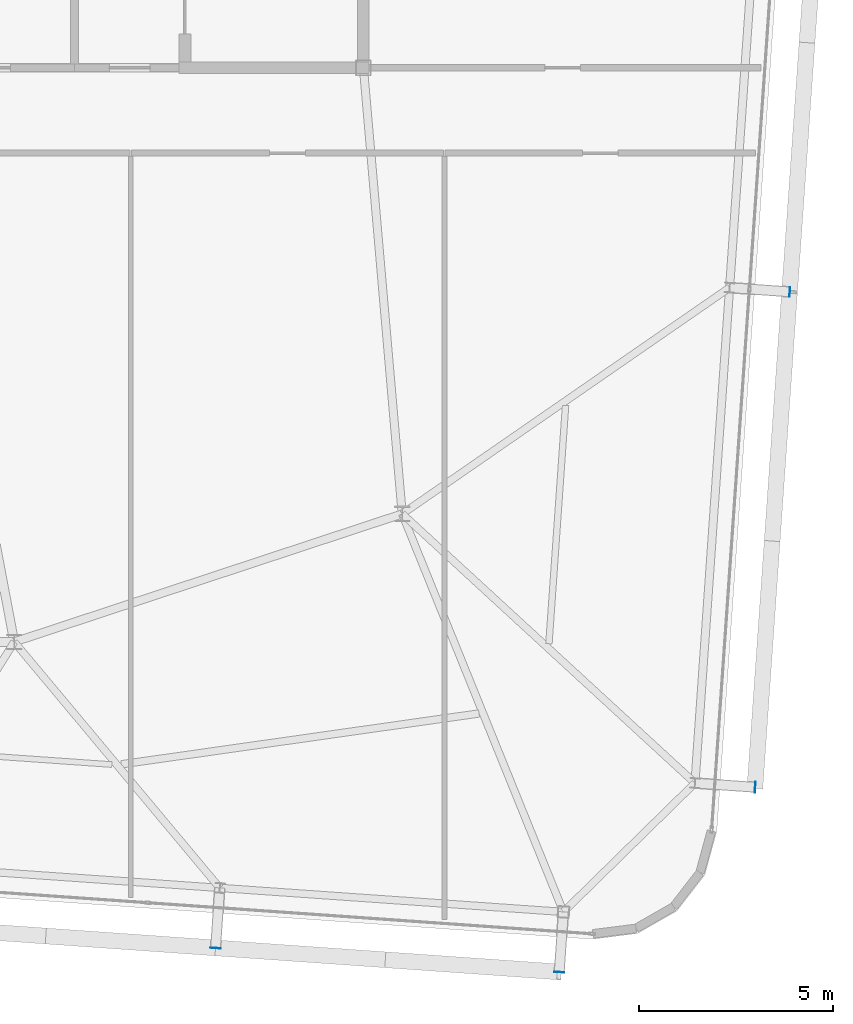
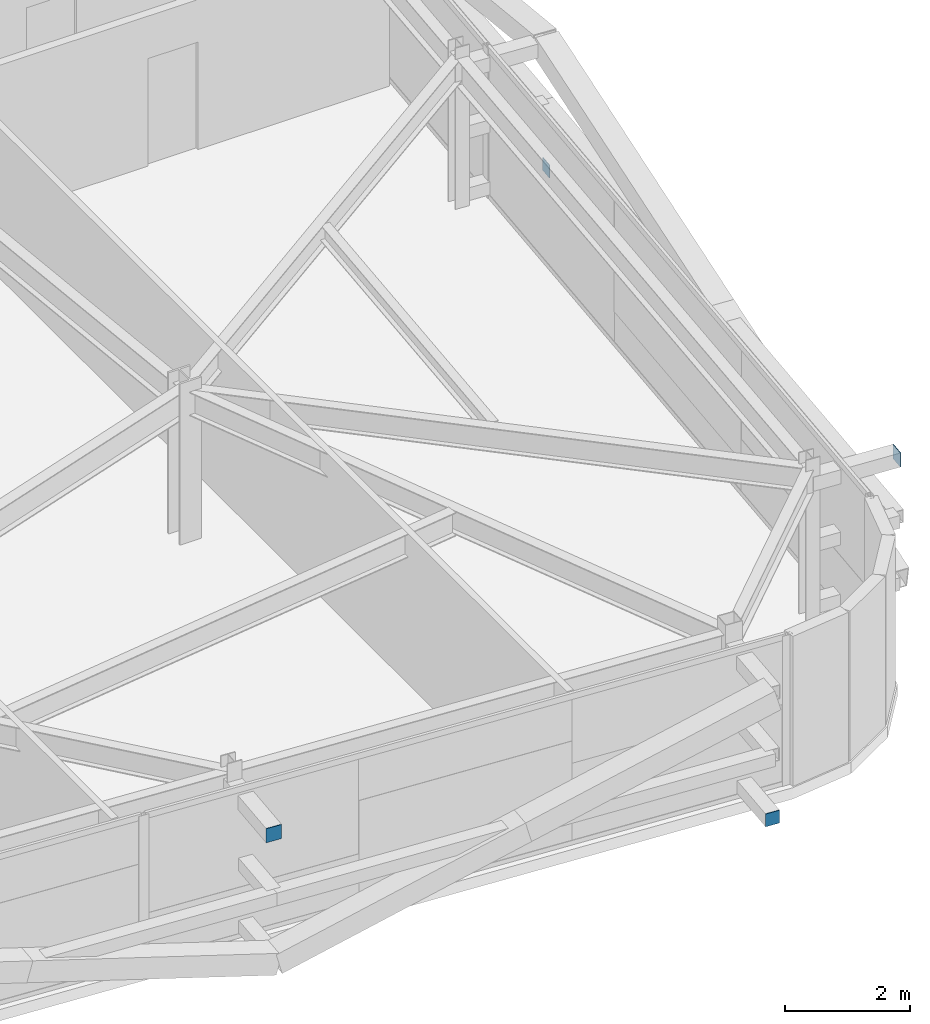
# One storey, part 30 of 39: 4 plates.
"""IFC4 building model written with IfcOpenShell, lengths in metres."""

from ifc_helpers import new_model, si_unit, direction, frame, origin, origin_2d, place, context, subcontext, project, spatial, rectangle, extrude, source, transform, mapped, material, layer, layer_set, type_object, element, save


model = new_model("IFC4")

# Units and contexts
model_context = context("Model", 3, precision=1e-05, world=origin(), true_north=direction((0.0, 1.0)))
body_context = subcontext(model_context, "Body", "Model", "MODEL_VIEW")
ifc_project = project(units=[si_unit("LENGTHUNIT", "METRE"), si_unit("AREAUNIT", "SQUARE_METRE"), si_unit("VOLUMEUNIT", "CUBIC_METRE"), si_unit("PLANEANGLEUNIT", "RADIAN"), si_unit("MASSUNIT", "GRAM", prefix="KILO")], contexts=[model_context])

# Site, building, storey
site_placement = place(None, origin())
site = spatial("IfcSite", under=ifc_project, at=site_placement, CompositionType="ELEMENT")
building_placement = place(site_placement, origin())
building = spatial("IfcBuilding", under=site, at=building_placement, Name="Taldren Reach Tower", CompositionType="ELEMENT")
storey_placement = place(building_placement, frame((0.0, 0.0, 145.60009765625)))
storey = spatial("IfcBuildingStorey", under=building, at=storey_placement, Name="L44", CompositionType="ELEMENT", Elevation=145.60009765625)

# Plates
ifc_material_1 = material(Name="Steel Gr 450 (C450L0)", Category="steel")
ifc_layer_1 = layer(ifc_material_1, 0.011962890625)
ifc_layer_set_1 = layer_set([ifc_layer_1], Name="Steel Gr 450 (C450L0)")
plate_type_1 = type_object("IfcPlateType", Name="PL-CAP-275", PredefinedType="SHEET", material=ifc_layer_set_1)
shared_shape_1 = source(origin(), body_context, "Body", "SweptSolid", [
    extrude(rectangle(XDim=0.27490234375, YDim=0.011962890625, at=origin_2d()), origin(), (0.0, 0.0, 1.0), 0.27490234375),
])
plate_1_placement = place(storey_placement, frame((47.1884765625, 1.308349609375, 2.512451171875), z_axis=(0.0, 0.0, 1.0), x_axis=(0.99756405026, -0.069756473744, 0.0)))
element("IfcPlate", 1, at=plate_1_placement, inside=storey, type_object=plate_type_1, Name="Tie strut end cap plate B3-S5 L44", PredefinedType="SHEET", context=body_context, shape_type="MappedRepresentation", body=[
    mapped(shared_shape_1, transform((0.0, 0.0, 0.0), scale=1.0)),
])
shared_shape_2 = source(origin(), body_context, "Body", "SweptSolid", [
    extrude(rectangle(XDim=0.011962890625, YDim=0.27490234375, at=origin_2d()), origin(), (0.0, 0.0, 1.0), 0.27490234375),
])
plate_2_placement = place(storey_placement, frame((61.09765625, 5.454345703125, 2.512451171875), z_axis=(0.0, 0.0, 1.0), x_axis=(0.99756405026, -0.069756473744, 0.0)))
element("IfcPlate", 2, at=plate_2_placement, inside=storey, type_object=plate_type_1, Name="Tie strut end cap plate B3-E1 L44", PredefinedType="SHEET", context=body_context, shape_type="MappedRepresentation", body=[
    mapped(shared_shape_2, transform((0.0, 0.0, 0.0), scale=1.0)),
])
ifc_material_2 = material(Name="Steel Gr 350 (C350L0)", Category="steel")
ifc_layer_2 = layer(ifc_material_2, 0.011962890625)
ifc_layer_set_2 = layer_set([ifc_layer_2], Name="Steel Gr 350 (C350L0)")
plate_type_2 = type_object("IfcPlateType", Name="PL-CAP-250", PredefinedType="SHEET", material=ifc_layer_set_2)
shared_shape_3 = source(origin(), body_context, "Body", "SweptSolid", [
    extrude(rectangle(XDim=0.25, YDim=0.011962890625, at=origin_2d()), origin(), (0.0, 0.0, 1.0), 0.25),
])
plate_3_placement = place(storey_placement, frame((56.046875, 0.68896484375, 0.094970703125), z_axis=(0.0, 0.0, 1.0), x_axis=(0.99756405026, -0.069756473744, 0.0)))
element("IfcPlate", 3, at=plate_3_placement, inside=storey, type_object=plate_type_2, Name="Tie strut end cap plate B3-S6 L44", PredefinedType="SHEET", context=body_context, shape_type="MappedRepresentation", body=[
    mapped(shared_shape_3, transform((0.0, 0.0, 0.0), scale=1.0)),
])
shared_shape_4 = source(origin(), body_context, "Body", "SweptSolid", [
    extrude(rectangle(XDim=0.011962890625, YDim=0.25, at=origin_2d()), origin(), (0.0, 0.0, 1.0), 0.25),
])
plate_4_placement = place(storey_placement, frame((61.990478515625, 18.22314453125, 0.094970703125), z_axis=(0.0, 0.0, 1.0), x_axis=(0.99756405026, -0.069756473744, 0.0)))
element("IfcPlate", 4, at=plate_4_placement, inside=storey, type_object=plate_type_2, Name="Tie strut end cap plate B3-E2 L44", PredefinedType="SHEET", context=body_context, shape_type="MappedRepresentation", body=[
    mapped(shared_shape_4, transform((0.0, 0.0, 0.0), scale=1.0)),
])

save(model, "model.ifc")
